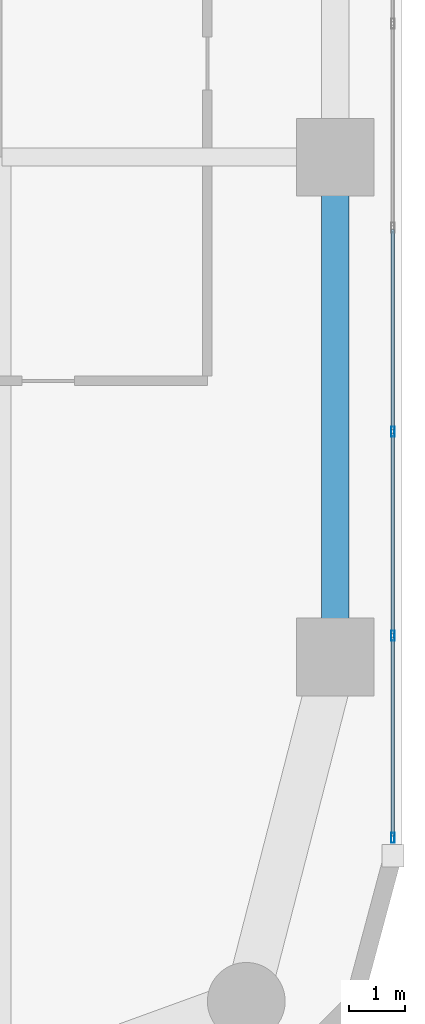
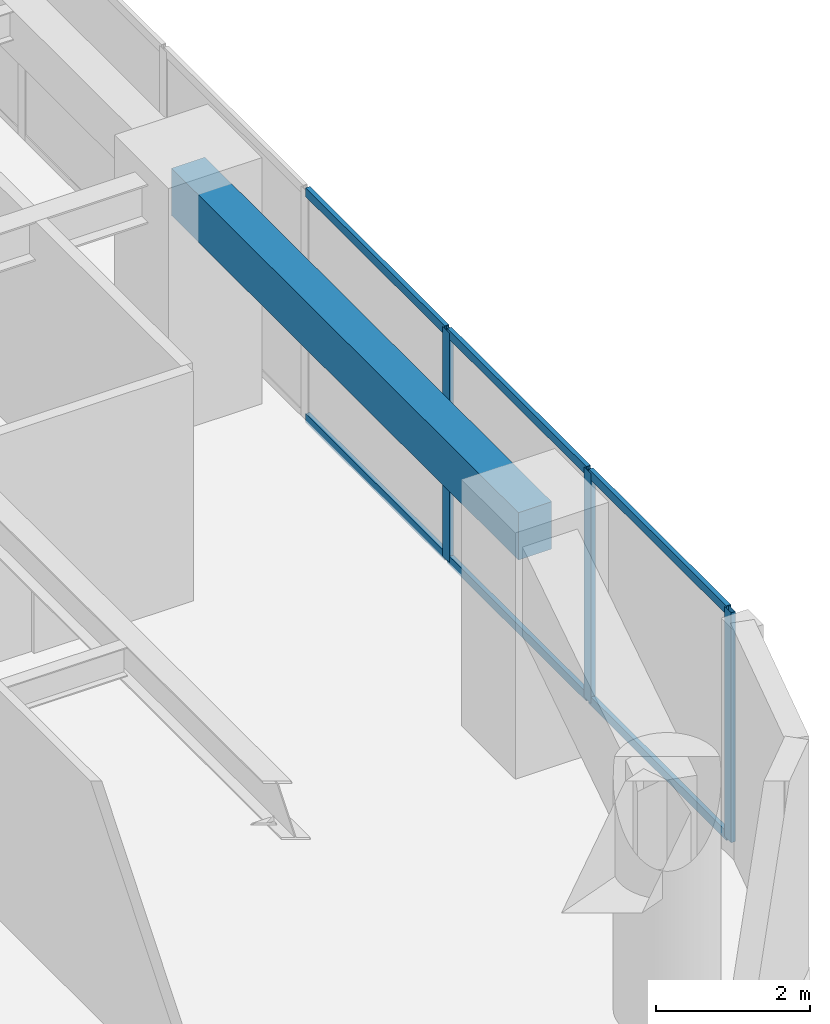
# One storey, part 4 of 24: 9 members, 1 beam, 1 element without a shape of its own.
"""IFC4 building model written with IfcOpenShell, lengths in metres."""

from ifc_helpers import new_model, si_unit, direction, frame, origin, origin_2d, place, context, subcontext, project, spatial, rectangle, hollow_rectangle, extrude, material, layer, layer_set, material_profile, profile_set, type_object, element, aggregate, save


model = new_model("IFC4")

# Units and contexts
model_context = context("Model", 3, precision=1e-05, world=origin(), true_north=direction((0.0, 1.0)))
body_context = subcontext(model_context, "Body", "Model", "MODEL_VIEW")
ifc_project = project(units=[si_unit("LENGTHUNIT", "METRE"), si_unit("AREAUNIT", "SQUARE_METRE"), si_unit("VOLUMEUNIT", "CUBIC_METRE"), si_unit("PLANEANGLEUNIT", "RADIAN"), si_unit("MASSUNIT", "GRAM", prefix="KILO")], contexts=[model_context])

# Site, building, storey
site_placement = place(None, origin())
site = spatial("IfcSite", under=ifc_project, at=site_placement, CompositionType="ELEMENT")
building_placement = place(site_placement, origin())
building = spatial("IfcBuilding", under=site, at=building_placement, Name="Kiyonajd Concourse Tower", CompositionType="ELEMENT")
storey_placement = place(building_placement, frame((0.0, 0.0, 109.199951171875)))
storey = spatial("IfcBuildingStorey", under=building, at=storey_placement, Name="L28", CompositionType="ELEMENT", Elevation=109.199951171875)

# Beam
ifc_material_1 = material(Name="Precast concrete C50/60", Category="concrete")
ifc_material_profile_1 = material_profile(ifc_material_1, rectangle(XDim=0.5, YDim=0.75, at=origin_2d()), Name="RCBM-500x750")
ifc_profile_set_1 = profile_set([ifc_material_profile_1], Name="Precast concrete C50/60")
beam_type = type_object("IfcBeamType", Name="BM-SPAN-RC", PredefinedType="SPANDREL", material=ifc_profile_set_1)
beam_placement = place(storey_placement, frame((69.60009765625, 18.60009765625, 3.26513671875), z_axis=(0.0, 1.0, 0.0), x_axis=(-1.0, 0.0, 0.0)))
element("IfcBeam", 1, at=beam_placement, inside=storey, type_object=beam_type, Name="L28 Perimeter Bundled Tube Spandrel", PredefinedType="SPANDREL", context=body_context, shape_type="SweptSolid", body=[
    extrude(rectangle(XDim=0.5, YDim=0.75, at=origin_2d()), origin(), (0.0, 0.0, 1.0), 9.0),
])

# Curtain wall, members
ifc_material_2 = material(Name="Thermally Broken Anodised Aluminium", Category="aluminium")
ifc_layer = layer(ifc_material_2, 0.179931640625)
ifc_layer_set = layer_set([ifc_layer], Name="Thermally Broken Anodised Aluminium")
curtain_wall_type = type_object("IfcCurtainWallType", Name="CW-SYS-03", PredefinedType="NOTDEFINED", material=ifc_layer_set)
curtain_wall_placement = place(storey_placement, origin())
curtain_wall = element("IfcCurtainWall", 2, at=curtain_wall_placement, inside=storey, type_object=curtain_wall_type, Name="L28 Unitised Curtain Wall CW3", PredefinedType="NOTDEFINED")
ifc_material_profile_2 = material_profile(ifc_material_2, hollow_rectangle(XDim=0.06494140625, YDim=0.179931640625, WallThickness=0.00390625, at=origin_2d()), Name="MULL-65x180")
ifc_profile_set_2 = profile_set([ifc_material_profile_2], Name="Thermally Broken Anodised Aluminium")
member_type_1 = type_object("IfcMemberType", Name="MB-CW-MULL1", PredefinedType="MULLION", material=ifc_profile_set_2)
member_1_placement = place(storey_placement, frame((70.639892578125, 22.657470703125, 0.0), z_axis=(0.0, 0.0, 1.0), x_axis=(1.0, 0.0, 0.0)))
member_1 = element("IfcMember", 3, at=member_1_placement, type_object=member_type_1, Name="CW3 mullion 5", PredefinedType="MULLION", context=body_context, shape_type="SweptSolid", body=[
    extrude(hollow_rectangle(XDim=0.06494140625, YDim=0.179931640625, WallThickness=0.00390625, at=origin_2d()), origin(), (0.0, 0.0, 1.0), 3.64013671875),
])
member_2_placement = place(storey_placement, frame((70.639892578125, 18.984130859375, 0.0), z_axis=(0.0, 0.0, 1.0), x_axis=(1.0, 0.0, 0.0)))
member_2 = element("IfcMember", 4, at=member_2_placement, type_object=member_type_1, Name="CW3 mullion 6", PredefinedType="MULLION", context=body_context, shape_type="SweptSolid", body=[
    extrude(hollow_rectangle(XDim=0.06494140625, YDim=0.179931640625, WallThickness=0.00390625, at=origin_2d()), origin(), (0.0, 0.0, 1.0), 3.64013671875),
])
member_3_placement = place(storey_placement, frame((70.639892578125, 15.343505859375, 0.0), z_axis=(0.0, 0.0, 1.0), x_axis=(1.0, 0.0, 0.0)))
member_3 = element("IfcMember", 5, at=member_3_placement, type_object=member_type_1, Name="CW3 mullion 7", PredefinedType="MULLION", context=body_context, shape_type="SweptSolid", body=[
    extrude(hollow_rectangle(XDim=0.06494140625, YDim=0.179931640625, WallThickness=0.00390625, at=origin_2d()), origin(), (0.0, 0.0, 1.0), 3.64013671875),
])
ifc_material_profile_3 = material_profile(ifc_material_2, hollow_rectangle(XDim=0.06494140625, YDim=0.139892578125, WallThickness=0.00390625, at=origin_2d()), Name="TRAN-65x140")
ifc_profile_set_3 = profile_set([ifc_material_profile_3], Name="Thermally Broken Anodised Aluminium")
member_type_2 = type_object("IfcMemberType", Name="MB-CW-TRAN1", PredefinedType="USERDEFINED", material=ifc_profile_set_3)
member_4_placement = place(storey_placement, frame((70.639892578125, 26.298095703125, 0.032470703125), z_axis=(0.0, -1.0, 0.0), x_axis=(1.0, 0.0, 0.0)))
member_4 = element("IfcMember", 6, at=member_4_placement, type_object=member_type_2, Name="CW3 transom 4.1", ObjectType="TRANSOM", PredefinedType="USERDEFINED", context=body_context, shape_type="SweptSolid", body=[
    extrude(hollow_rectangle(XDim=0.06494140625, YDim=0.139892578125, WallThickness=0.00390625, at=origin_2d()), origin(), (0.0, 0.0, 1.0), 3.608154296875),
])
member_5_placement = place(storey_placement, frame((70.639892578125, 26.298095703125, 3.607666015625), z_axis=(0.0, -1.0, 0.0), x_axis=(1.0, 0.0, 0.0)))
member_5 = element("IfcMember", 7, at=member_5_placement, type_object=member_type_2, Name="CW3 transom 4.2", ObjectType="TRANSOM", PredefinedType="USERDEFINED", context=body_context, shape_type="SweptSolid", body=[
    extrude(hollow_rectangle(XDim=0.06494140625, YDim=0.139892578125, WallThickness=0.00390625, at=origin_2d()), origin(), (0.0, 0.0, 1.0), 3.608154296875),
])
member_6_placement = place(storey_placement, frame((70.639892578125, 22.625, 0.032470703125), z_axis=(0.0, -1.0, 0.0), x_axis=(1.0, 0.0, 0.0)))
member_6 = element("IfcMember", 8, at=member_6_placement, type_object=member_type_2, Name="CW3 transom 5.1", ObjectType="TRANSOM", PredefinedType="USERDEFINED", context=body_context, shape_type="SweptSolid", body=[
    extrude(hollow_rectangle(XDim=0.06494140625, YDim=0.139892578125, WallThickness=0.00390625, at=origin_2d()), origin(), (0.0, 0.0, 1.0), 3.608154296875),
])
member_7_placement = place(storey_placement, frame((70.639892578125, 22.625, 3.607666015625), z_axis=(0.0, -1.0, 0.0), x_axis=(1.0, 0.0, 0.0)))
member_7 = element("IfcMember", 9, at=member_7_placement, type_object=member_type_2, Name="CW3 transom 5.2", ObjectType="TRANSOM", PredefinedType="USERDEFINED", context=body_context, shape_type="SweptSolid", body=[
    extrude(hollow_rectangle(XDim=0.06494140625, YDim=0.139892578125, WallThickness=0.00390625, at=origin_2d()), origin(), (0.0, 0.0, 1.0), 3.608154296875),
])
member_8_placement = place(storey_placement, frame((70.639892578125, 18.95166015625, 0.032470703125), z_axis=(0.0, -1.0, 0.0), x_axis=(1.0, 0.0, 0.0)))
member_8 = element("IfcMember", 10, at=member_8_placement, type_object=member_type_2, Name="CW3 transom 6.1", ObjectType="TRANSOM", PredefinedType="USERDEFINED", context=body_context, shape_type="SweptSolid", body=[
    extrude(hollow_rectangle(XDim=0.06494140625, YDim=0.139892578125, WallThickness=0.00390625, at=origin_2d()), origin(), (0.0, 0.0, 1.0), 3.575439453125),
])
member_9_placement = place(storey_placement, frame((70.639892578125, 18.95166015625, 3.607666015625), z_axis=(0.0, -1.0, 0.0), x_axis=(1.0, 0.0, 0.0)))
member_9 = element("IfcMember", 11, at=member_9_placement, type_object=member_type_2, Name="CW3 transom 6.2", ObjectType="TRANSOM", PredefinedType="USERDEFINED", context=body_context, shape_type="SweptSolid", body=[
    extrude(hollow_rectangle(XDim=0.06494140625, YDim=0.139892578125, WallThickness=0.00390625, at=origin_2d()), origin(), (0.0, 0.0, 1.0), 3.575439453125),
])
aggregate(curtain_wall, [member_1, member_2, member_3, member_4, member_5, member_6, member_7, member_8, member_9])

save(model, "model.ifc")
